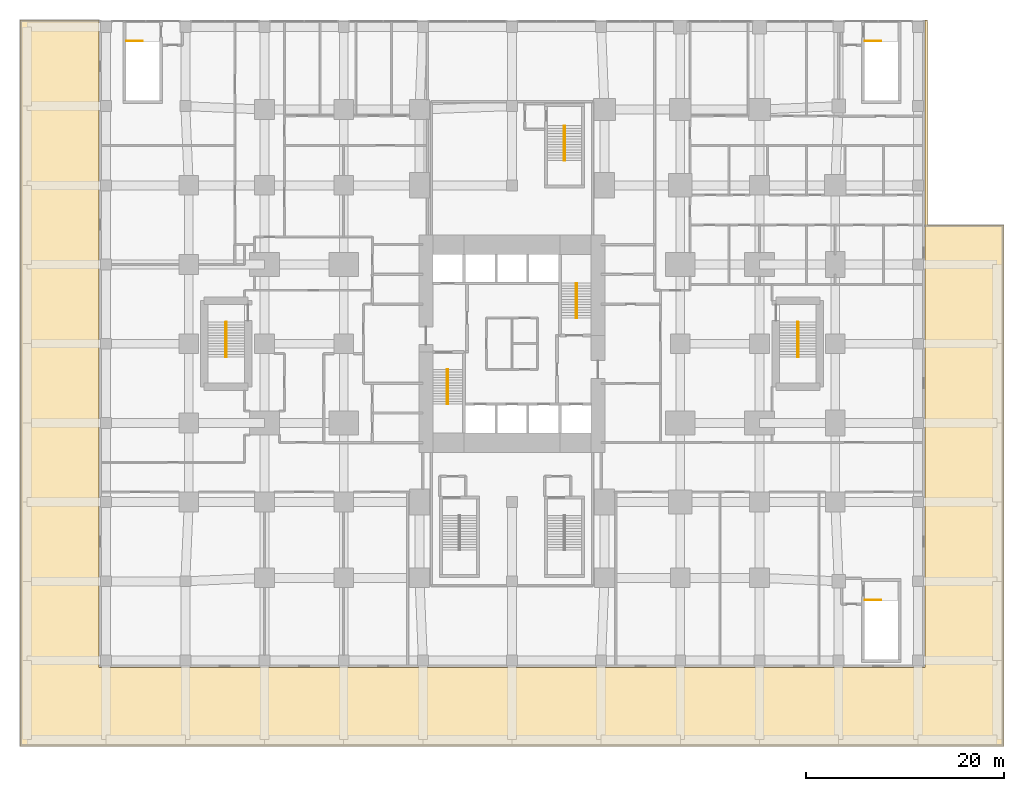
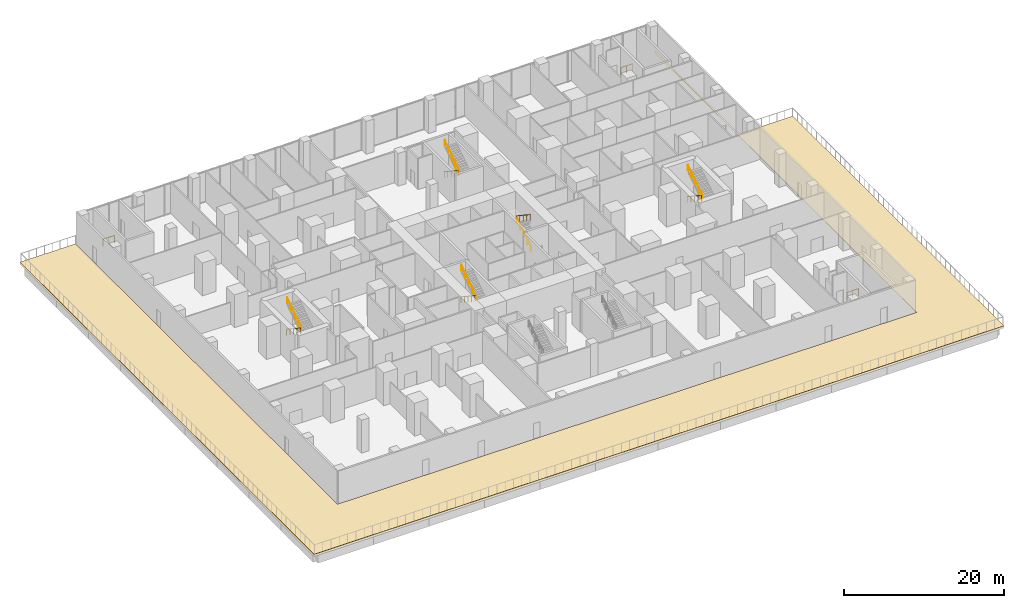
# One storey, part 18 of 19: 13 railings, 2 coverings.
"""IFC4 building model written with IfcOpenShell, lengths in metres."""

import ifcopenshell
import ifcopenshell.guid

model = None  # the IFC model being written
_history = None  # IfcOwnerHistory: only IFC2X3 demands one
_inside = {}  # id of a spatial element -> (the spatial element, [elements in it])
_under = {}  # id of a project, library or spatial element -> (it, [spatial elements below it])
_declared = {}  # id of a project -> (the project, [libraries it declares])
_typed = {}  # id of a type object -> (the type object, [elements of that type])
_made_of = {}  # id of a material, layer set ... -> (it, [elements and type objects made of it])


def new_model(schema):
    """Start an empty IFC model of exactly this schema.

    Asked for "IFC4X3", IfcOpenShell would pick the latest addendum, in which some entities
    have other attributes; the version numbers below select the first issue.
    IFC2X3 requires an IfcOwnerHistory on every rooted entity: one is made here for all.
    """
    global model, _history
    if schema == "IFC4X3":
        model = ifcopenshell.file(schema_version=(4, 3, 0, 0))
    else:
        model = ifcopenshell.file(schema=schema)
    _inside.clear()
    _under.clear()
    _declared.clear()
    _typed.clear()
    _made_of.clear()
    _history = None
    if model.schema == "IFC2X3":
        org = make("IfcOrganization", Name="unknown")
        user = make(
            "IfcPersonAndOrganization",
            ThePerson=make("IfcPerson", FamilyName="unknown"),
            TheOrganization=org,
        )
        app = make(
            "IfcApplication",
            ApplicationDeveloper=org,
            Version="unknown",
            ApplicationFullName="unknown",
            ApplicationIdentifier="unknown",
        )
        _history = make(
            "IfcOwnerHistory",
            OwningUser=user,
            OwningApplication=app,
            ChangeAction="ADDED",
            CreationDate=0,
        )
    return model


def make(cls, **values):
    """One entity of the class cls with the attributes given. An attribute that is None is left unset."""
    return model.create_entity(
        cls, **{name: value for name, value in values.items() if value is not None}
    )


def rooted(cls, **values):
    """An entity with a GlobalId (a new one), such as an element, a storey or a relation."""
    return make(cls, GlobalId=ifcopenshell.guid.new(), OwnerHistory=_history, **values)


def si_unit(unit_type, name, prefix=None):
    """IfcSIUnit, for example si_unit("LENGTHUNIT", "METRE", prefix="MILLI")."""
    return make("IfcSIUnit", UnitType=unit_type, Prefix=prefix, Name=name)


def assignment(units):
    """IfcUnitAssignment: the units of a project."""
    return None if units is None else make("IfcUnitAssignment", Units=units)


def point(xyz):
    """IfcCartesianPoint."""
    return None if xyz is None else make("IfcCartesianPoint", Coordinates=xyz)


def direction(xyz):
    """IfcDirection."""
    return None if xyz is None else make("IfcDirection", DirectionRatios=xyz)


def frame(location, z_axis=None, x_axis=None):
    """IfcAxis2Placement3D, a coordinate frame: its origin and axes. An axis left out is left unset."""
    return make(
        "IfcAxis2Placement3D",
        Location=point(location),
        Axis=direction(z_axis),
        RefDirection=direction(x_axis),
    )


def frame_2d(location, x_axis=None):
    """IfcAxis2Placement2D, a coordinate frame in the plane: its origin and x axis."""
    return make(
        "IfcAxis2Placement2D", Location=point(location), RefDirection=direction(x_axis)
    )


def origin():
    """The frame at (0, 0, 0) with its axes left unset."""
    return frame((0.0, 0.0, 0.0))


def origin_2d():
    """The frame at (0, 0) in the plane with its x axis left unset."""
    return frame_2d((0.0, 0.0))


def place(relative_to, where):
    """IfcLocalPlacement: puts the frame where relative to a parent placement (None: the world)."""
    return make(
        "IfcLocalPlacement", PlacementRelTo=relative_to, RelativePlacement=where
    )


def context(
    kind, dimensions, precision=None, world=None, true_north=None, identifier=None
):
    """IfcGeometricRepresentationContext, for example the 3D "Model" context."""
    return make(
        "IfcGeometricRepresentationContext",
        ContextIdentifier=identifier,
        ContextType=kind,
        CoordinateSpaceDimension=dimensions,
        Precision=precision,
        WorldCoordinateSystem=world,
        TrueNorth=true_north,
    )


def subcontext(parent, identifier, kind, view, scale=None):
    """IfcGeometricRepresentationSubContext, for example "Body" below "Model"."""
    return make(
        "IfcGeometricRepresentationSubContext",
        ContextIdentifier=identifier,
        ContextType=kind,
        ParentContext=parent,
        TargetScale=scale,
        TargetView=view,
    )


def project(units=None, contexts=None):
    """IfcProject with its units and contexts."""
    return rooted(
        "IfcProject",
        Name="project",
        RepresentationContexts=contexts,
        UnitsInContext=assignment(units),
    )


def spatial(cls, under=None, at=None, **own):
    """A site, building, storey or space (cls), placed at a placement, below another one or the project."""
    s = rooted(cls, ObjectPlacement=at, **own)
    if under is not None:
        _under.setdefault(under.id(), (under, []))[1].append(s)
    return s


def polyline(points):
    """IfcPolyline through the points."""
    return make("IfcPolyline", Points=[point(p) for p in points])


def profile(cls, at=None, kind="AREA", **sizes):
    """A parametric profile (cls). Its sizes go by their IFC names, for example OverallWidth=200.0."""
    return make(cls, ProfileType=kind, Position=at, **sizes)


def circle(**sizes):
    """IfcCircleProfileDef."""
    return profile("IfcCircleProfileDef", **sizes)


def outline(outer, holes=None, kind="AREA"):
    """IfcArbitraryClosedProfileDef: a profile drawn as a closed curve; with holes, ...WithVoids."""
    if holes is None:
        return make("IfcArbitraryClosedProfileDef", ProfileType=kind, OuterCurve=outer)
    return make(
        "IfcArbitraryProfileDefWithVoids",
        ProfileType=kind,
        OuterCurve=outer,
        InnerCurves=holes,
    )


def extrude(swept, where, along, depth):
    """IfcExtrudedAreaSolid: the profile swept, set in the frame where, extruded along a direction by depth."""
    return make(
        "IfcExtrudedAreaSolid",
        SweptArea=swept,
        Position=where,
        ExtrudedDirection=direction(along),
        Depth=depth,
    )


def shape(context_of_items, identifier, shape_type, items):
    """IfcShapeRepresentation: the items that make up one representation, for example the "Body"."""
    return make(
        "IfcShapeRepresentation",
        ContextOfItems=context_of_items,
        RepresentationIdentifier=identifier,
        RepresentationType=shape_type,
        Items=items,
    )


def material(Name=None, Category=None):
    """IfcMaterial."""
    return make("IfcMaterial", Name=Name, Category=Category)


def layer(
    of_material, thickness, ventilated=None, Name=None, Category=None, Priority=None
):
    """IfcMaterialLayer: one layer of a wall or slab, of a material (None: an air gap)."""
    return make(
        "IfcMaterialLayer",
        Material=of_material,
        LayerThickness=thickness,
        IsVentilated=ventilated,
        Name=Name,
        Category=Category,
        Priority=Priority,
    )


def layer_set(layers, Name=None):
    """IfcMaterialLayerSet."""
    return make("IfcMaterialLayerSet", MaterialLayers=layers, LayerSetName=Name)


def made_of(thing, what):
    """Note that an element or type object is made of a material, layer set ...; save() writes the relation."""
    if what is not None:
        _made_of.setdefault(what.id(), (what, []))[1].append(thing)
    return thing


def type_object(cls, material=None, **own):
    """A type object (cls), such as IfcWallType, which elements share."""
    return made_of(rooted(cls, **own), material)


def element(
    cls,
    number,
    at=None,
    inside=None,
    cuts=None,
    type_object=None,
    material=None,
    context=None,
    identifier="Body",
    shape_type=None,
    held_by="IfcProductDefinitionShape",
    body=None,
    shapes=None,
    **own,
):
    """One element of the class cls, such as IfcWall. Its Tag is "e" and its number.

    at: its placement. inside: the storey or other place that contains it. cuts: it is an
    opening in that element (IfcRelVoidsElement). A single representation is given by context,
    identifier, shape_type and body (its items); several are given by shapes. held_by: the class
    of the entity that holds the representations. save() writes the other relations.
    """
    e = rooted(cls, Tag="e%d" % number, ObjectPlacement=at, **own)
    if body is not None:
        shapes = [shape(context, identifier, shape_type, body)]
    if shapes is not None:
        e.Representation = make(held_by, Representations=shapes)
    if inside is not None:
        _inside.setdefault(inside.id(), (inside, []))[1].append(e)
    if cuts is not None:
        rooted(
            "IfcRelVoidsElement", RelatingBuildingElement=cuts, RelatedOpeningElement=e
        )
    if type_object is not None:
        _typed.setdefault(type_object.id(), (type_object, []))[1].append(e)
    return made_of(e, material)


def aggregate(whole, parts):
    """IfcRelAggregates: a whole, such as a stair, and the parts it consists of."""
    return rooted("IfcRelAggregates", RelatingObject=whole, RelatedObjects=parts)


def save(model, path):
    """Write the relations noted so far, then the file.

    IfcRelAggregates (storeys below a building ...), IfcRelContainedInSpatialStructure (elements
    in a storey), IfcRelDefinesByType, IfcRelAssociatesMaterial and IfcRelDeclares: one each for
    every whole, place, type object, material and project.
    """
    for whole, parts in _under.values():
        aggregate(whole, parts)
    for where, things in _inside.values():
        rooted(
            "IfcRelContainedInSpatialStructure",
            RelatedElements=things,
            RelatingStructure=where,
        )
    for kind, things in _typed.values():
        rooted("IfcRelDefinesByType", RelatedObjects=things, RelatingType=kind)
    for what, things in _made_of.values():
        rooted("IfcRelAssociatesMaterial", RelatedObjects=things, RelatingMaterial=what)
    for by, libraries in _declared.values():
        rooted("IfcRelDeclares", RelatingContext=by, RelatedDefinitions=libraries)
    model.write(path)


model = new_model("IFC4")

# Units and contexts
model_context = context("Model", 3, precision=1e-05, world=origin(), true_north=direction((0.0, 1.0)))
body_context = subcontext(model_context, "Body", "Model", "MODEL_VIEW")
ifc_project = project(units=[si_unit("LENGTHUNIT", "METRE"), si_unit("AREAUNIT", "SQUARE_METRE"), si_unit("VOLUMEUNIT", "CUBIC_METRE"), si_unit("PLANEANGLEUNIT", "RADIAN"), si_unit("MASSUNIT", "GRAM", prefix="KILO")], contexts=[model_context])

# Site, building, storey
site_placement = place(None, origin())
site = spatial("IfcSite", under=ifc_project, at=site_placement, CompositionType="ELEMENT")
building_placement = place(site_placement, origin())
building = spatial("IfcBuilding", under=site, at=building_placement, Name="Cleftline Residences", CompositionType="ELEMENT")
storey_placement = place(building_placement, frame((0.0, 0.0, 11.0)))
storey = spatial("IfcBuildingStorey", under=building, at=storey_placement, Name="L02", CompositionType="ELEMENT", Elevation=11.0)

# Railings
ifc_material_1 = material(Name="Stainless steel", Category="steel")
railing_type_1 = type_object("IfcRailingType", Name="HANDRAIL 900", PredefinedType="HANDRAIL", material=ifc_material_1)
railing_1_placement = place(storey_placement, frame((26.449951171875, 21.39990234375, 0.1787109375)))
element("IfcRailing", 1, at=railing_1_placement, inside=storey, type_object=railing_type_1, Name="Stair handrail", PredefinedType="HANDRAIL", context=body_context, shape_type="SweptSolid", body=[
    extrude(circle(Radius=0.02392578125, at=origin_2d()), frame((0.0, 0.0, 0.8759765625), z_axis=(0.0, -0.834097473627, 0.551617081397), x_axis=(1.0, 0.0, 0.0)), (0.0, 0.0, 1.0), 4.208251953125),
    extrude(circle(Radius=0.02099609375, at=origin_2d()), origin(), (0.0, 0.0, 1.0), 0.851806640625),
    extrude(circle(Radius=0.02099609375, at=origin_2d()), frame((0.0, -0.87744140625, 0.580322265625)), (0.0, 0.0, 1.0), 0.851806640625),
    extrude(circle(Radius=0.02099609375, at=origin_2d()), frame((0.0, -1.7548828125, 1.16064453125)), (0.0, 0.0, 1.0), 0.851806640625),
    extrude(circle(Radius=0.02099609375, at=origin_2d()), frame((0.0, -2.632568359375, 1.740966796875)), (0.0, 0.0, 1.0), 0.851806640625),
    extrude(circle(Radius=0.02099609375, at=origin_2d()), frame((0.0, -3.510009765625, 2.3212890625)), (0.0, 0.0, 1.0), 0.851806640625),
])
for number, where, name in (
    (2, (26.550048828125, 17.889892578125, 2.6787109375), "Stair handrail"),
    (3, (39.550048828125, 26.60009765625, 0.1787109375), "Stair handrail"),
):
    element("IfcRailing", number, at=place(storey_placement, frame(where)), inside=storey, type_object=railing_type_1, Name=name, PredefinedType="HANDRAIL", context=body_context, shape_type="SweptSolid", body=[
        extrude(circle(Radius=0.02392578125, at=origin_2d()), frame((0.0, 0.0, 0.8759765625), z_axis=(0.0, 0.834097473627, 0.551617081397), x_axis=(-1.0, 0.0, 0.0)), (0.0, 0.0, 1.0), 4.208251953125),
        extrude(circle(Radius=0.02099609375, at=origin_2d()), origin(), (0.0, 0.0, 1.0), 0.851806640625),
        extrude(circle(Radius=0.02099609375, at=origin_2d()), frame((0.0, 0.87744140625, 0.580322265625)), (0.0, 0.0, 1.0), 0.851806640625),
        extrude(circle(Radius=0.02099609375, at=origin_2d()), frame((0.0, 1.7548828125, 1.16064453125)), (0.0, 0.0, 1.0), 0.851806640625),
        extrude(circle(Radius=0.02099609375, at=origin_2d()), frame((0.0, 2.632568359375, 1.740966796875)), (0.0, 0.0, 1.0), 0.851806640625),
        extrude(circle(Radius=0.02099609375, at=origin_2d()), frame((0.0, 3.510009765625, 2.3212890625)), (0.0, 0.0, 1.0), 0.851806640625),
    ])
for number, where, name in (
    (4, (39.449951171875, 30.110107421875, 2.6787109375), "Stair handrail"),
    (5, (38.25, 46.02001953125, 0.1787109375), "Stair handrail"),
):
    element("IfcRailing", number, at=place(storey_placement, frame(where)), inside=storey, type_object=railing_type_1, Name=name, PredefinedType="HANDRAIL", context=body_context, shape_type="SweptSolid", body=[
        extrude(circle(Radius=0.02392578125, at=origin_2d()), frame((0.0, 0.0, 0.8759765625), z_axis=(0.0, -0.834097473627, 0.551617081397), x_axis=(1.0, 0.0, 0.0)), (0.0, 0.0, 1.0), 4.208251953125),
        extrude(circle(Radius=0.02099609375, at=origin_2d()), origin(), (0.0, 0.0, 1.0), 0.851806640625),
        extrude(circle(Radius=0.02099609375, at=origin_2d()), frame((0.0, -0.87744140625, 0.580322265625)), (0.0, 0.0, 1.0), 0.851806640625),
        extrude(circle(Radius=0.02099609375, at=origin_2d()), frame((0.0, -1.7548828125, 1.16064453125)), (0.0, 0.0, 1.0), 0.851806640625),
        extrude(circle(Radius=0.02099609375, at=origin_2d()), frame((0.0, -2.632568359375, 1.740966796875)), (0.0, 0.0, 1.0), 0.851806640625),
        extrude(circle(Radius=0.02099609375, at=origin_2d()), frame((0.0, -3.510009765625, 2.3212890625)), (0.0, 0.0, 1.0), 0.851806640625),
    ])
railing_2_placement = place(storey_placement, frame((38.35009765625, 42.510009765625, 2.6787109375)))
element("IfcRailing", 6, at=railing_2_placement, inside=storey, type_object=railing_type_1, Name="Stair handrail", PredefinedType="HANDRAIL", context=body_context, shape_type="SweptSolid", body=[
    extrude(circle(Radius=0.02392578125, at=origin_2d()), frame((0.0, 0.0, 0.8759765625), z_axis=(0.0, 0.834097473627, 0.551617081397), x_axis=(-1.0, 0.0, 0.0)), (0.0, 0.0, 1.0), 4.208251953125),
    extrude(circle(Radius=0.02099609375, at=origin_2d()), origin(), (0.0, 0.0, 1.0), 0.851806640625),
    extrude(circle(Radius=0.02099609375, at=origin_2d()), frame((0.0, 0.87744140625, 0.580322265625)), (0.0, 0.0, 1.0), 0.851806640625),
    extrude(circle(Radius=0.02099609375, at=origin_2d()), frame((0.0, 1.7548828125, 1.16064453125)), (0.0, 0.0, 1.0), 0.851806640625),
    extrude(circle(Radius=0.02099609375, at=origin_2d()), frame((0.0, 2.632568359375, 1.740966796875)), (0.0, 0.0, 1.0), 0.851806640625),
    extrude(circle(Radius=0.02099609375, at=origin_2d()), frame((0.0, 3.510009765625, 2.3212890625)), (0.0, 0.0, 1.0), 0.851806640625),
])
railing_3_placement = place(storey_placement, frame((61.824951171875, 26.175048828125, 0.1787109375)))
element("IfcRailing", 7, at=railing_3_placement, inside=storey, type_object=railing_type_1, Name="Stair handrail", PredefinedType="HANDRAIL", context=body_context, shape_type="SweptSolid", body=[
    extrude(circle(Radius=0.02392578125, at=origin_2d()), frame((0.0, 0.0, 0.8759765625), z_axis=(0.0, -0.834097473627, 0.551617081397), x_axis=(1.0, 0.0, 0.0)), (0.0, 0.0, 1.0), 4.208251953125),
    extrude(circle(Radius=0.02099609375, at=origin_2d()), origin(), (0.0, 0.0, 1.0), 0.851806640625),
    extrude(circle(Radius=0.02099609375, at=origin_2d()), frame((0.0, -0.87744140625, 0.580322265625)), (0.0, 0.0, 1.0), 0.851806640625),
    extrude(circle(Radius=0.02099609375, at=origin_2d()), frame((0.0, -1.7548828125, 1.16064453125)), (0.0, 0.0, 1.0), 0.851806640625),
    extrude(circle(Radius=0.02099609375, at=origin_2d()), frame((0.0, -2.632568359375, 1.740966796875)), (0.0, 0.0, 1.0), 0.851806640625),
    extrude(circle(Radius=0.02099609375, at=origin_2d()), frame((0.0, -3.510009765625, 2.3212890625)), (0.0, 0.0, 1.0), 0.851806640625),
])
railing_4_placement = place(storey_placement, frame((61.925048828125, 22.6650390625, 2.6787109375)))
element("IfcRailing", 8, at=railing_4_placement, inside=storey, type_object=railing_type_1, Name="Stair handrail", PredefinedType="HANDRAIL", context=body_context, shape_type="SweptSolid", body=[
    extrude(circle(Radius=0.02392578125, at=origin_2d()), frame((0.0, 0.0, 0.8759765625), z_axis=(0.0, 0.834097473627, 0.551617081397), x_axis=(-1.0, 0.0, 0.0)), (0.0, 0.0, 1.0), 4.208251953125),
    extrude(circle(Radius=0.02099609375, at=origin_2d()), origin(), (0.0, 0.0, 1.0), 0.851806640625),
    extrude(circle(Radius=0.02099609375, at=origin_2d()), frame((0.0, 0.87744140625, 0.580322265625)), (0.0, 0.0, 1.0), 0.851806640625),
    extrude(circle(Radius=0.02099609375, at=origin_2d()), frame((0.0, 1.7548828125, 1.16064453125)), (0.0, 0.0, 1.0), 0.851806640625),
    extrude(circle(Radius=0.02099609375, at=origin_2d()), frame((0.0, 2.632568359375, 1.740966796875)), (0.0, 0.0, 1.0), 0.851806640625),
    extrude(circle(Radius=0.02099609375, at=origin_2d()), frame((0.0, 3.510009765625, 2.3212890625)), (0.0, 0.0, 1.0), 0.851806640625),
])
railing_5_placement = place(storey_placement, frame((4.074951171875, 26.175048828125, 0.1787109375)))
element("IfcRailing", 9, at=railing_5_placement, inside=storey, type_object=railing_type_1, Name="Stair handrail", PredefinedType="HANDRAIL", context=body_context, shape_type="SweptSolid", body=[
    extrude(circle(Radius=0.02392578125, at=origin_2d()), frame((0.0, 0.0, 0.8759765625), z_axis=(0.0, -0.834097473627, 0.551617081397), x_axis=(1.0, 0.0, 0.0)), (0.0, 0.0, 1.0), 4.208251953125),
    extrude(circle(Radius=0.02099609375, at=origin_2d()), origin(), (0.0, 0.0, 1.0), 0.851806640625),
    extrude(circle(Radius=0.02099609375, at=origin_2d()), frame((0.0, -0.87744140625, 0.580322265625)), (0.0, 0.0, 1.0), 0.851806640625),
    extrude(circle(Radius=0.02099609375, at=origin_2d()), frame((0.0, -1.7548828125, 1.16064453125)), (0.0, 0.0, 1.0), 0.851806640625),
    extrude(circle(Radius=0.02099609375, at=origin_2d()), frame((0.0, -2.632568359375, 1.740966796875)), (0.0, 0.0, 1.0), 0.851806640625),
    extrude(circle(Radius=0.02099609375, at=origin_2d()), frame((0.0, -3.510009765625, 2.3212890625)), (0.0, 0.0, 1.0), 0.851806640625),
])
railing_6_placement = place(storey_placement, frame((4.175048828125, 22.6650390625, 2.6787109375)))
element("IfcRailing", 10, at=railing_6_placement, inside=storey, type_object=railing_type_1, Name="Stair handrail", PredefinedType="HANDRAIL", context=body_context, shape_type="SweptSolid", body=[
    extrude(circle(Radius=0.02392578125, at=origin_2d()), frame((0.0, 0.0, 0.8759765625), z_axis=(0.0, 0.834097473627, 0.551617081397), x_axis=(-1.0, 0.0, 0.0)), (0.0, 0.0, 1.0), 4.208251953125),
    extrude(circle(Radius=0.02099609375, at=origin_2d()), origin(), (0.0, 0.0, 1.0), 0.851806640625),
    extrude(circle(Radius=0.02099609375, at=origin_2d()), frame((0.0, 0.87744140625, 0.580322265625)), (0.0, 0.0, 1.0), 0.851806640625),
    extrude(circle(Radius=0.02099609375, at=origin_2d()), frame((0.0, 1.7548828125, 1.16064453125)), (0.0, 0.0, 1.0), 0.851806640625),
    extrude(circle(Radius=0.02099609375, at=origin_2d()), frame((0.0, 2.632568359375, 1.740966796875)), (0.0, 0.0, 1.0), 0.851806640625),
    extrude(circle(Radius=0.02099609375, at=origin_2d()), frame((0.0, 3.510009765625, 2.3212890625)), (0.0, 0.0, 1.0), 0.851806640625),
])
ifc_material_2 = material(Name="Stainless steel", Category="steel")
railing_type_2 = type_object("IfcRailingType", Name="STAIR GUARD 1100", PredefinedType="GUARDRAIL", material=ifc_material_2)
for number, where, name in (
    (11, (68.64990234375, 54.570068359375, 0.0), "Stair well guard"),
    (12, (68.64990234375, -1.8798828125, 0.0), "Stair well guard"),
):
    element("IfcRailing", number, at=place(storey_placement, frame(where)), inside=storey, type_object=railing_type_2, Name=name, PredefinedType="GUARDRAIL", context=body_context, shape_type="SweptSolid", body=[
        extrude(circle(Radius=0.02392578125, at=origin_2d()), frame((0.0, 0.0, 1.076171875), z_axis=(1.0, 0.0, 0.0), x_axis=(0.0, 1.0, 0.0)), (0.0, 0.0, 1.0), 1.630126953125),
        extrude(circle(Radius=0.02099609375, at=origin_2d()), origin(), (0.0, 0.0, 1.0), 1.052001953125),
        extrude(circle(Radius=0.02099609375, at=origin_2d()), frame((0.81494140625, 0.0, 0.0)), (0.0, 0.0, 1.0), 1.052001953125),
        extrude(circle(Radius=0.02099609375, at=origin_2d()), frame((1.630126953125, 0.0, 0.0)), (0.0, 0.0, 1.0), 1.052001953125),
    ])
railing_7_placement = place(storey_placement, frame((-5.949951171875, 54.570068359375, 0.0)))
element("IfcRailing", 13, at=railing_7_placement, inside=storey, type_object=railing_type_2, Name="Stair well guard", PredefinedType="GUARDRAIL", context=body_context, shape_type="SweptSolid", body=[
    extrude(circle(Radius=0.02392578125, at=origin_2d()), frame((0.0, 0.0, 1.076171875), z_axis=(1.0, 0.0, 0.0), x_axis=(0.0, 1.0, 0.0)), (0.0, 0.0, 1.0), 1.6298828125),
    extrude(circle(Radius=0.02099609375, at=origin_2d()), origin(), (0.0, 0.0, 1.0), 1.052001953125),
    extrude(circle(Radius=0.02099609375, at=origin_2d()), frame((0.81494140625, 0.0, 0.0)), (0.0, 0.0, 1.0), 1.052001953125),
    extrude(circle(Radius=0.02099609375, at=origin_2d()), frame((1.6298828125, 0.0, 0.0)), (0.0, 0.0, 1.0), 1.052001953125),
])

# Coverings
ifc_material_3 = material(Name="Porcelain paving on adhesive bed")
ifc_layer_1 = layer(ifc_material_3, 0.0400390625)
ifc_layer_set_1 = layer_set([ifc_layer_1], Name="TERRACE PAVING 40")
covering_type_1 = type_object("IfcCoveringType", Name="TERRACE PAVING 40", PredefinedType="FLOORING", material=ifc_layer_set_1)
covering_1_placement = place(storey_placement, frame((0.0, 0.0, 0.0048828125)))
element("IfcCovering", 14, at=covering_1_placement, inside=storey, type_object=covering_type_1, Name="Terrace paving L02 1", PredefinedType="FLOORING", context=body_context, shape_type="SweptSolid", body=[
    extrude(outline(polyline([(82.68994140625, -16.699951171875), (82.69091796875, -16.699951171875), (82.69189453125, -16.69970703125), (82.69287109375, -16.69970703125), (82.69384765625, -16.69921875), (82.694580078125, -16.69873046875), (82.695556640625, -16.6982421875), (82.6962890625, -16.69775390625), (82.697021484375, -16.697021484375), (82.69775390625, -16.6962890625), (82.6982421875, -16.695556640625), (82.69873046875, -16.694580078125), (82.69921875, -16.69384765625), (82.69970703125, -16.69287109375), (82.69970703125, -16.69189453125), (82.699951171875, -16.69091796875), (82.699951171875, -16.68994140625), (82.699951171875, 35.989990234375), (82.699951171875, 35.990966796875), (82.69970703125, 35.991943359375), (82.69970703125, 35.992919921875), (82.69921875, 35.993896484375), (82.69873046875, 35.99462890625), (82.6982421875, 35.99560546875), (82.69775390625, 35.996337890625), (82.697021484375, 35.9970703125), (82.6962890625, 35.997802734375), (82.695556640625, 35.998291015625), (82.694580078125, 35.998779296875), (82.69384765625, 35.999267578125), (82.69287109375, 35.99951171875), (82.69189453125, 35.999755859375), (82.69091796875, 36.0), (82.68994140625, 36.0), (74.9501953125, 36.0), (74.949951171875, 36.0), (74.949951171875, 36.000244140625), (74.949951171875, 56.68994140625), (74.949951171875, 56.69091796875), (74.94970703125, 56.69189453125), (74.94970703125, 56.69287109375), (74.94921875, 56.69384765625), (74.94873046875, 56.694580078125), (74.9482421875, 56.695556640625), (74.94775390625, 56.6962890625), (74.947021484375, 56.697021484375), (74.9462890625, 56.69775390625), (74.945556640625, 56.6982421875), (74.944580078125, 56.69873046875), (74.94384765625, 56.69921875), (74.94287109375, 56.69970703125), (74.94189453125, 56.69970703125), (74.94091796875, 56.699951171875), (74.93994140625, 56.699951171875), (74.7099609375, 56.699951171875), (74.708984375, 56.699951171875), (74.7080078125, 56.69970703125), (74.70703125, 56.69970703125), (74.706298828125, 56.69921875), (74.705322265625, 56.69873046875), (74.704345703125, 56.6982421875), (74.70361328125, 56.69775390625), (74.702880859375, 56.697021484375), (74.702392578125, 56.6962890625), (74.70166015625, 56.695556640625), (74.701171875, 56.694580078125), (74.70068359375, 56.69384765625), (74.700439453125, 56.69287109375), (74.7001953125, 56.69189453125), (74.699951171875, 56.69091796875), (74.699951171875, 56.68994140625), (74.699951171875, 56.580078125), (74.705078125, 56.580078125), (74.705078125, -8.580078125), (74.699951171875, -8.580078125), (74.699951171875, -8.69970703125), (74.699951171875, -8.699951171875), (74.69970703125, -8.699951171875), (74.580078125, -8.699951171875), (74.580078125, -8.705078125), (-8.580078125, -8.705078125), (-8.580078125, -8.699951171875), (-8.69970703125, -8.699951171875), (-8.699951171875, -8.699951171875), (-8.699951171875, -8.69970703125), (-8.699951171875, -8.580078125), (-8.705078125, -8.580078125), (-8.705078125, 56.580078125), (-8.699951171875, 56.580078125), (-8.699951171875, 56.68994140625), (-8.699951171875, 56.69091796875), (-8.7001953125, 56.69189453125), (-8.700439453125, 56.69287109375), (-8.70068359375, 56.69384765625), (-8.701171875, 56.694580078125), (-8.70166015625, 56.695556640625), (-8.702392578125, 56.6962890625), (-8.702880859375, 56.697021484375), (-8.70361328125, 56.69775390625), (-8.704345703125, 56.6982421875), (-8.705322265625, 56.69873046875), (-8.706298828125, 56.69921875), (-8.70703125, 56.69970703125), (-8.7080078125, 56.69970703125), (-8.708984375, 56.699951171875), (-8.7099609375, 56.699951171875), (-16.68994140625, 56.699951171875), (-16.69091796875, 56.699951171875), (-16.69189453125, 56.69970703125), (-16.69287109375, 56.69970703125), (-16.69384765625, 56.69921875), (-16.694580078125, 56.69873046875), (-16.695556640625, 56.6982421875), (-16.6962890625, 56.69775390625), (-16.697021484375, 56.697021484375), (-16.69775390625, 56.6962890625), (-16.6982421875, 56.695556640625), (-16.69873046875, 56.694580078125), (-16.69921875, 56.69384765625), (-16.69970703125, 56.69287109375), (-16.69970703125, 56.69189453125), (-16.699951171875, 56.69091796875), (-16.699951171875, 56.68994140625), (-16.699951171875, -16.68994140625), (-16.699951171875, -16.69091796875), (-16.69970703125, -16.69189453125), (-16.69970703125, -16.69287109375), (-16.69921875, -16.69384765625), (-16.69873046875, -16.694580078125), (-16.6982421875, -16.695556640625), (-16.69775390625, -16.6962890625), (-16.697021484375, -16.697021484375), (-16.6962890625, -16.69775390625), (-16.695556640625, -16.6982421875), (-16.694580078125, -16.69873046875), (-16.69384765625, -16.69921875), (-16.69287109375, -16.69970703125), (-16.69189453125, -16.69970703125), (-16.69091796875, -16.699951171875), (-16.68994140625, -16.699951171875), (82.68994140625, -16.699951171875)])), origin(), (0.0, 0.0, 1.0), 0.0400390625),
])
ifc_material_4 = material(Name="Liquid-applied polyurethane waterproofing")
ifc_layer_2 = layer(ifc_material_4, 0.0048828125)
ifc_layer_set_2 = layer_set([ifc_layer_2], Name="TERRACE WATERPROOFING 5")
covering_type_2 = type_object("IfcCoveringType", Name="TERRACE WATERPROOFING 5", PredefinedType="ROOFING", material=ifc_layer_set_2)
covering_2_placement = place(storey_placement, origin())
element("IfcCovering", 15, at=covering_2_placement, inside=storey, type_object=covering_type_2, Name="Terrace waterproofing L02 1", PredefinedType="ROOFING", context=body_context, shape_type="SweptSolid", body=[
    extrude(outline(polyline([(82.68994140625, -16.699951171875), (82.69091796875, -16.699951171875), (82.69189453125, -16.69970703125), (82.69287109375, -16.69970703125), (82.69384765625, -16.69921875), (82.694580078125, -16.69873046875), (82.695556640625, -16.6982421875), (82.6962890625, -16.69775390625), (82.697021484375, -16.697021484375), (82.69775390625, -16.6962890625), (82.6982421875, -16.695556640625), (82.69873046875, -16.694580078125), (82.69921875, -16.69384765625), (82.69970703125, -16.69287109375), (82.69970703125, -16.69189453125), (82.699951171875, -16.69091796875), (82.699951171875, -16.68994140625), (82.699951171875, 35.989990234375), (82.699951171875, 35.990966796875), (82.69970703125, 35.991943359375), (82.69970703125, 35.992919921875), (82.69921875, 35.993896484375), (82.69873046875, 35.99462890625), (82.6982421875, 35.99560546875), (82.69775390625, 35.996337890625), (82.697021484375, 35.9970703125), (82.6962890625, 35.997802734375), (82.695556640625, 35.998291015625), (82.694580078125, 35.998779296875), (82.69384765625, 35.999267578125), (82.69287109375, 35.99951171875), (82.69189453125, 35.999755859375), (82.69091796875, 36.0), (82.68994140625, 36.0), (74.9501953125, 36.0), (74.949951171875, 36.0), (74.949951171875, 36.000244140625), (74.949951171875, 56.68994140625), (74.949951171875, 56.69091796875), (74.94970703125, 56.69189453125), (74.94970703125, 56.69287109375), (74.94921875, 56.69384765625), (74.94873046875, 56.694580078125), (74.9482421875, 56.695556640625), (74.94775390625, 56.6962890625), (74.947021484375, 56.697021484375), (74.9462890625, 56.69775390625), (74.945556640625, 56.6982421875), (74.944580078125, 56.69873046875), (74.94384765625, 56.69921875), (74.94287109375, 56.69970703125), (74.94189453125, 56.69970703125), (74.94091796875, 56.699951171875), (74.93994140625, 56.699951171875), (74.7099609375, 56.699951171875), (74.708984375, 56.699951171875), (74.7080078125, 56.69970703125), (74.70703125, 56.69970703125), (74.706298828125, 56.69921875), (74.705322265625, 56.69873046875), (74.704345703125, 56.6982421875), (74.70361328125, 56.69775390625), (74.702880859375, 56.697021484375), (74.702392578125, 56.6962890625), (74.70166015625, 56.695556640625), (74.701171875, 56.694580078125), (74.70068359375, 56.69384765625), (74.700439453125, 56.69287109375), (74.7001953125, 56.69189453125), (74.699951171875, 56.69091796875), (74.699951171875, 56.68994140625), (74.699951171875, 56.580078125), (74.705078125, 56.580078125), (74.705078125, -8.580078125), (74.699951171875, -8.580078125), (74.699951171875, -8.69970703125), (74.699951171875, -8.699951171875), (74.69970703125, -8.699951171875), (74.580078125, -8.699951171875), (74.580078125, -8.705078125), (-8.580078125, -8.705078125), (-8.580078125, -8.699951171875), (-8.69970703125, -8.699951171875), (-8.699951171875, -8.699951171875), (-8.699951171875, -8.69970703125), (-8.699951171875, -8.580078125), (-8.705078125, -8.580078125), (-8.705078125, 56.580078125), (-8.699951171875, 56.580078125), (-8.699951171875, 56.68994140625), (-8.699951171875, 56.69091796875), (-8.7001953125, 56.69189453125), (-8.700439453125, 56.69287109375), (-8.70068359375, 56.69384765625), (-8.701171875, 56.694580078125), (-8.70166015625, 56.695556640625), (-8.702392578125, 56.6962890625), (-8.702880859375, 56.697021484375), (-8.70361328125, 56.69775390625), (-8.704345703125, 56.6982421875), (-8.705322265625, 56.69873046875), (-8.706298828125, 56.69921875), (-8.70703125, 56.69970703125), (-8.7080078125, 56.69970703125), (-8.708984375, 56.699951171875), (-8.7099609375, 56.699951171875), (-16.68994140625, 56.699951171875), (-16.69091796875, 56.699951171875), (-16.69189453125, 56.69970703125), (-16.69287109375, 56.69970703125), (-16.69384765625, 56.69921875), (-16.694580078125, 56.69873046875), (-16.695556640625, 56.6982421875), (-16.6962890625, 56.69775390625), (-16.697021484375, 56.697021484375), (-16.69775390625, 56.6962890625), (-16.6982421875, 56.695556640625), (-16.69873046875, 56.694580078125), (-16.69921875, 56.69384765625), (-16.69970703125, 56.69287109375), (-16.69970703125, 56.69189453125), (-16.699951171875, 56.69091796875), (-16.699951171875, 56.68994140625), (-16.699951171875, -16.68994140625), (-16.699951171875, -16.69091796875), (-16.69970703125, -16.69189453125), (-16.69970703125, -16.69287109375), (-16.69921875, -16.69384765625), (-16.69873046875, -16.694580078125), (-16.6982421875, -16.695556640625), (-16.69775390625, -16.6962890625), (-16.697021484375, -16.697021484375), (-16.6962890625, -16.69775390625), (-16.695556640625, -16.6982421875), (-16.694580078125, -16.69873046875), (-16.69384765625, -16.69921875), (-16.69287109375, -16.69970703125), (-16.69189453125, -16.69970703125), (-16.69091796875, -16.699951171875), (-16.68994140625, -16.699951171875), (82.68994140625, -16.699951171875)])), origin(), (0.0, 0.0, 1.0), 0.0048828125),
])

save(model, "model.ifc")
